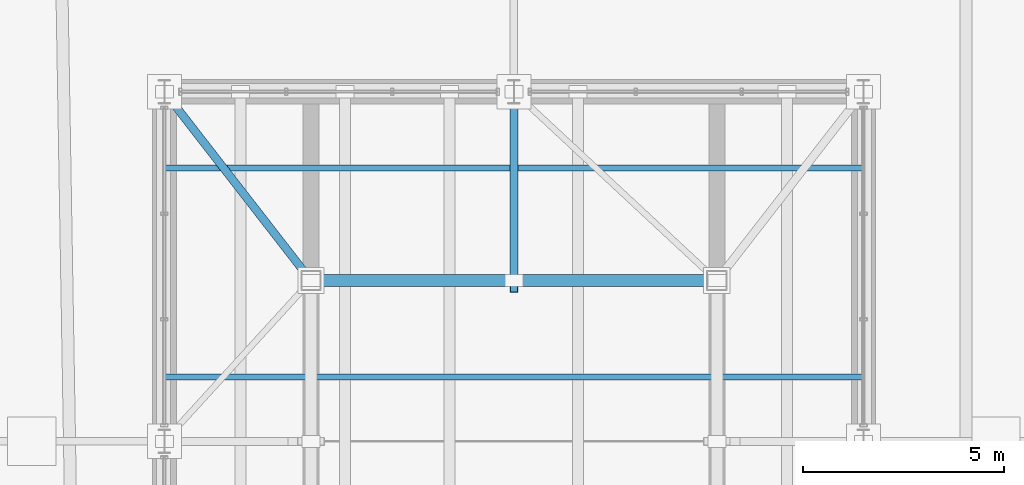
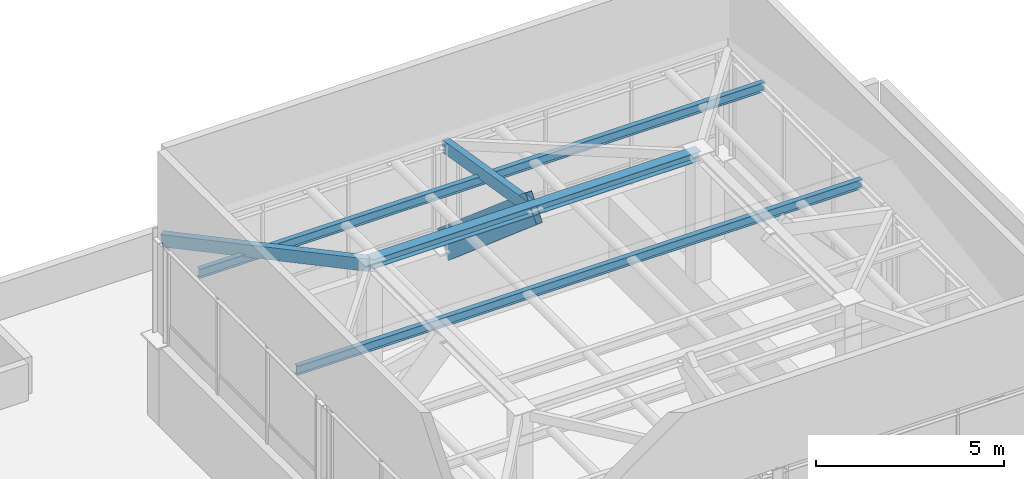
# One storey, part 15 of 22: 5 beams, 1 member.
"""IFC4 building model written with IfcOpenShell, lengths in metres."""

import ifcopenshell
import ifcopenshell.guid

model = None  # the IFC model being written
_history = None  # IfcOwnerHistory: only IFC2X3 demands one
_inside = {}  # id of a spatial element -> (the spatial element, [elements in it])
_under = {}  # id of a project, library or spatial element -> (it, [spatial elements below it])
_declared = {}  # id of a project -> (the project, [libraries it declares])
_typed = {}  # id of a type object -> (the type object, [elements of that type])
_made_of = {}  # id of a material, layer set ... -> (it, [elements and type objects made of it])


def new_model(schema):
    """Start an empty IFC model of exactly this schema.

    Asked for "IFC4X3", IfcOpenShell would pick the latest addendum, in which some entities
    have other attributes; the version numbers below select the first issue.
    IFC2X3 requires an IfcOwnerHistory on every rooted entity: one is made here for all.
    """
    global model, _history
    if schema == "IFC4X3":
        model = ifcopenshell.file(schema_version=(4, 3, 0, 0))
    else:
        model = ifcopenshell.file(schema=schema)
    _inside.clear()
    _under.clear()
    _declared.clear()
    _typed.clear()
    _made_of.clear()
    _history = None
    if model.schema == "IFC2X3":
        org = make("IfcOrganization", Name="unknown")
        user = make(
            "IfcPersonAndOrganization",
            ThePerson=make("IfcPerson", FamilyName="unknown"),
            TheOrganization=org,
        )
        app = make(
            "IfcApplication",
            ApplicationDeveloper=org,
            Version="unknown",
            ApplicationFullName="unknown",
            ApplicationIdentifier="unknown",
        )
        _history = make(
            "IfcOwnerHistory",
            OwningUser=user,
            OwningApplication=app,
            ChangeAction="ADDED",
            CreationDate=0,
        )
    return model


def make(cls, **values):
    """One entity of the class cls with the attributes given. An attribute that is None is left unset."""
    return model.create_entity(
        cls, **{name: value for name, value in values.items() if value is not None}
    )


def rooted(cls, **values):
    """An entity with a GlobalId (a new one), such as an element, a storey or a relation."""
    return make(cls, GlobalId=ifcopenshell.guid.new(), OwnerHistory=_history, **values)


def si_unit(unit_type, name, prefix=None):
    """IfcSIUnit, for example si_unit("LENGTHUNIT", "METRE", prefix="MILLI")."""
    return make("IfcSIUnit", UnitType=unit_type, Prefix=prefix, Name=name)


def assignment(units):
    """IfcUnitAssignment: the units of a project."""
    return None if units is None else make("IfcUnitAssignment", Units=units)


def point(xyz):
    """IfcCartesianPoint."""
    return None if xyz is None else make("IfcCartesianPoint", Coordinates=xyz)


def direction(xyz):
    """IfcDirection."""
    return None if xyz is None else make("IfcDirection", DirectionRatios=xyz)


def frame(location, z_axis=None, x_axis=None):
    """IfcAxis2Placement3D, a coordinate frame: its origin and axes. An axis left out is left unset."""
    return make(
        "IfcAxis2Placement3D",
        Location=point(location),
        Axis=direction(z_axis),
        RefDirection=direction(x_axis),
    )


def frame_2d(location, x_axis=None):
    """IfcAxis2Placement2D, a coordinate frame in the plane: its origin and x axis."""
    return make(
        "IfcAxis2Placement2D", Location=point(location), RefDirection=direction(x_axis)
    )


def origin():
    """The frame at (0, 0, 0) with its axes left unset."""
    return frame((0.0, 0.0, 0.0))


def origin_2d():
    """The frame at (0, 0) in the plane with its x axis left unset."""
    return frame_2d((0.0, 0.0))


def place(relative_to, where):
    """IfcLocalPlacement: puts the frame where relative to a parent placement (None: the world)."""
    return make(
        "IfcLocalPlacement", PlacementRelTo=relative_to, RelativePlacement=where
    )


def context(
    kind, dimensions, precision=None, world=None, true_north=None, identifier=None
):
    """IfcGeometricRepresentationContext, for example the 3D "Model" context."""
    return make(
        "IfcGeometricRepresentationContext",
        ContextIdentifier=identifier,
        ContextType=kind,
        CoordinateSpaceDimension=dimensions,
        Precision=precision,
        WorldCoordinateSystem=world,
        TrueNorth=true_north,
    )


def subcontext(parent, identifier, kind, view, scale=None):
    """IfcGeometricRepresentationSubContext, for example "Body" below "Model"."""
    return make(
        "IfcGeometricRepresentationSubContext",
        ContextIdentifier=identifier,
        ContextType=kind,
        ParentContext=parent,
        TargetScale=scale,
        TargetView=view,
    )


def project(units=None, contexts=None):
    """IfcProject with its units and contexts."""
    return rooted(
        "IfcProject",
        Name="project",
        RepresentationContexts=contexts,
        UnitsInContext=assignment(units),
    )


def spatial(cls, under=None, at=None, **own):
    """A site, building, storey or space (cls), placed at a placement, below another one or the project."""
    s = rooted(cls, ObjectPlacement=at, **own)
    if under is not None:
        _under.setdefault(under.id(), (under, []))[1].append(s)
    return s


def profile(cls, at=None, kind="AREA", **sizes):
    """A parametric profile (cls). Its sizes go by their IFC names, for example OverallWidth=200.0."""
    return make(cls, ProfileType=kind, Position=at, **sizes)


def hollow_rectangle(**sizes):
    """IfcRectangleHollowProfileDef."""
    return profile("IfcRectangleHollowProfileDef", **sizes)


def i_section(**sizes):
    """IfcIShapeProfileDef."""
    return profile("IfcIShapeProfileDef", **sizes)


def extrude(swept, where, along, depth):
    """IfcExtrudedAreaSolid: the profile swept, set in the frame where, extruded along a direction by depth."""
    return make(
        "IfcExtrudedAreaSolid",
        SweptArea=swept,
        Position=where,
        ExtrudedDirection=direction(along),
        Depth=depth,
    )


def shape(context_of_items, identifier, shape_type, items):
    """IfcShapeRepresentation: the items that make up one representation, for example the "Body"."""
    return make(
        "IfcShapeRepresentation",
        ContextOfItems=context_of_items,
        RepresentationIdentifier=identifier,
        RepresentationType=shape_type,
        Items=items,
    )


def material(Name=None, Category=None):
    """IfcMaterial."""
    return make("IfcMaterial", Name=Name, Category=Category)


def material_profile(
    of_material, cross_section, Name=None, Category=None, Priority=None
):
    """IfcMaterialProfile: a cross section and its material."""
    return make(
        "IfcMaterialProfile",
        Name=Name,
        Material=of_material,
        Profile=cross_section,
        Priority=Priority,
        Category=Category,
    )


def profile_set(profiles, Name=None, composite=None):
    """IfcMaterialProfileSet."""
    return make(
        "IfcMaterialProfileSet",
        Name=Name,
        MaterialProfiles=profiles,
        CompositeProfile=composite,
    )


def made_of(thing, what):
    """Note that an element or type object is made of a material, layer set ...; save() writes the relation."""
    if what is not None:
        _made_of.setdefault(what.id(), (what, []))[1].append(thing)
    return thing


def type_object(cls, material=None, **own):
    """A type object (cls), such as IfcWallType, which elements share."""
    return made_of(rooted(cls, **own), material)


def element(
    cls,
    number,
    at=None,
    inside=None,
    cuts=None,
    type_object=None,
    material=None,
    context=None,
    identifier="Body",
    shape_type=None,
    held_by="IfcProductDefinitionShape",
    body=None,
    shapes=None,
    **own,
):
    """One element of the class cls, such as IfcWall. Its Tag is "e" and its number.

    at: its placement. inside: the storey or other place that contains it. cuts: it is an
    opening in that element (IfcRelVoidsElement). A single representation is given by context,
    identifier, shape_type and body (its items); several are given by shapes. held_by: the class
    of the entity that holds the representations. save() writes the other relations.
    """
    e = rooted(cls, Tag="e%d" % number, ObjectPlacement=at, **own)
    if body is not None:
        shapes = [shape(context, identifier, shape_type, body)]
    if shapes is not None:
        e.Representation = make(held_by, Representations=shapes)
    if inside is not None:
        _inside.setdefault(inside.id(), (inside, []))[1].append(e)
    if cuts is not None:
        rooted(
            "IfcRelVoidsElement", RelatingBuildingElement=cuts, RelatedOpeningElement=e
        )
    if type_object is not None:
        _typed.setdefault(type_object.id(), (type_object, []))[1].append(e)
    return made_of(e, material)


def aggregate(whole, parts):
    """IfcRelAggregates: a whole, such as a stair, and the parts it consists of."""
    return rooted("IfcRelAggregates", RelatingObject=whole, RelatedObjects=parts)


def save(model, path):
    """Write the relations noted so far, then the file.

    IfcRelAggregates (storeys below a building ...), IfcRelContainedInSpatialStructure (elements
    in a storey), IfcRelDefinesByType, IfcRelAssociatesMaterial and IfcRelDeclares: one each for
    every whole, place, type object, material and project.
    """
    for whole, parts in _under.values():
        aggregate(whole, parts)
    for where, things in _inside.values():
        rooted(
            "IfcRelContainedInSpatialStructure",
            RelatedElements=things,
            RelatingStructure=where,
        )
    for kind, things in _typed.values():
        rooted("IfcRelDefinesByType", RelatedObjects=things, RelatingType=kind)
    for what, things in _made_of.values():
        rooted("IfcRelAssociatesMaterial", RelatedObjects=things, RelatingMaterial=what)
    for by, libraries in _declared.values():
        rooted("IfcRelDeclares", RelatingContext=by, RelatedDefinitions=libraries)
    model.write(path)


model = new_model("IFC4")

# Units and contexts
model_context = context("Model", 3, precision=1e-05, world=origin(), true_north=direction((0.0, 1.0)))
body_context = subcontext(model_context, "Body", "Model", "MODEL_VIEW")
ifc_project = project(units=[si_unit("LENGTHUNIT", "METRE"), si_unit("AREAUNIT", "SQUARE_METRE"), si_unit("VOLUMEUNIT", "CUBIC_METRE"), si_unit("PLANEANGLEUNIT", "RADIAN"), si_unit("MASSUNIT", "GRAM", prefix="KILO")], contexts=[model_context])

# Site, building, storey
site_placement = place(None, origin())
site = spatial("IfcSite", under=ifc_project, at=site_placement, CompositionType="ELEMENT")
building_placement = place(site_placement, origin())
building = spatial("IfcBuilding", under=site, at=building_placement, Name="Belovzor Exchange Tower", CompositionType="ELEMENT")
storey_placement = place(building_placement, frame((0.0, 0.0, 378.60009765625)))
storey = spatial("IfcBuildingStorey", under=building, at=storey_placement, Name="RF", CompositionType="ELEMENT", Elevation=378.60009765625)

# Beams
ifc_material_1 = material(Name="Steel S355", Category="steel")
ifc_material_profile_1 = material_profile(ifc_material_1, hollow_rectangle(XDim=0.199951171875, YDim=0.39990234375, WallThickness=0.012451171875, at=origin_2d()))
ifc_profile_set_1 = profile_set([ifc_material_profile_1], Name="Steel S355")
beam_type_1 = type_object("IfcBeamType", Name="Crown Faceted Roof Rafter RHS 400x200x12.5", PredefinedType="BEAM", material=ifc_profile_set_1)
beam_1_placement = place(storey_placement, frame((20.10009765625, 37.5, 5.7998046875), z_axis=(0.608281083468, -0.783278872096, 0.128328999148), x_axis=(0.789809290804, 0.613352495845, 0.0)))
element("IfcBeam", 1, at=beam_1_placement, inside=storey, type_object=beam_type_1, Name="RR-400 Crown Faceted Roof Rafter RHS 400x200x12.5", PredefinedType="BEAM", context=body_context, shape_type="SweptSolid", body=[
    extrude(hollow_rectangle(XDim=0.199951171875, YDim=0.39990234375, WallThickness=0.012451171875, at=origin_2d()), origin(), (0.0, 0.0, 1.0), 6.000244140625),
])
beam_2_placement = place(storey_placement, frame((28.800048828125, 37.5, 5.7998046875), z_axis=(0.0, -0.986843222912, 0.161680095843), x_axis=(1.0, 0.0, 0.0)))
element("IfcBeam", 2, at=beam_2_placement, inside=storey, type_object=beam_type_1, Name="RR-400 Crown Faceted Roof Rafter RHS 400x200x12.5", PredefinedType="BEAM", context=body_context, shape_type="SweptSolid", body=[
    extrude(hollow_rectangle(XDim=0.199951171875, YDim=0.39990234375, WallThickness=0.012451171875, at=origin_2d()), origin(), (0.0, 0.0, 1.0), 4.7626953125),
])
ifc_material_2 = material(Name="Steel S355", Category="steel")
ifc_material_profile_2 = material_profile(ifc_material_2, i_section(OverallWidth=0.300048828125, OverallDepth=0.300048828125, WebThickness=0.008544921875, FlangeThickness=0.013916015625, at=origin_2d()))
ifc_profile_set_2 = profile_set([ifc_material_profile_2], Name="Steel S355")
beam_type_2 = type_object("IfcBeamType", Name="Crown Ring & Trim Beam HEA 300", PredefinedType="BEAM", material=ifc_profile_set_2)
beam_3_placement = place(storey_placement, frame((33.85009765625, 32.800048828125, 6.619873046875), z_axis=(-1.0, 0.0, 0.0), x_axis=(0.0, -1.0, 0.0)))
element("IfcBeam", 3, at=beam_3_placement, inside=storey, type_object=beam_type_2, Name="CB-CR Crown Ring & Trim Beam HEA 300", PredefinedType="BEAM", context=body_context, shape_type="SweptSolid", body=[
    extrude(i_section(OverallWidth=0.300048828125, OverallDepth=0.300048828125, WebThickness=0.008544921875, FlangeThickness=0.013916015625, at=origin_2d()), origin(), (0.0, 0.0, 1.0), 10.10009765625),
])
ifc_material_3 = material(Name="Steel S355", Category="steel")
ifc_material_profile_3 = material_profile(ifc_material_3, i_section(OverallWidth=0.14990234375, OverallDepth=0.300048828125, WebThickness=0.007080078125, FlangeThickness=0.0107421875, at=origin_2d()))
ifc_profile_set_3 = profile_set([ifc_material_profile_3], Name="Steel S355")
beam_type_3 = type_object("IfcBeamType", Name="Crown Roof Cap Steel Purlin IPE 300", PredefinedType="BEAM", material=ifc_profile_set_3)
for number, where, z_axis, x_axis, name in (
    (4, (20.10009765625, 30.39990234375, 5.849853515625), (1.0, 0.0, 0.0), (0.0, 1.0, 0.0), "RP-300 Crown Roof Cap Steel Purlin IPE 300"),
    (5, (20.10009765625, 35.60009765625, 5.849853515625), (1.0, 0.0, 0.0), (0.0, 1.0, 0.0), "RP-300 Crown Roof Cap Steel Purlin IPE 300"),
):
    element("IfcBeam", number, at=place(storey_placement, frame(where, z_axis=z_axis, x_axis=x_axis)), inside=storey, type_object=beam_type_3, Name=name, PredefinedType="BEAM", context=body_context, shape_type="SweptSolid", body=[
        extrude(i_section(OverallWidth=0.14990234375, OverallDepth=0.300048828125, WebThickness=0.007080078125, FlangeThickness=0.0107421875, at=origin_2d()), origin(), (0.0, 0.0, 1.0), 17.39990234375),
    ])

# Member
ifc_material_4 = material(Name="Extruded Architectural Terracotta on Steel S355 Carrier", Category="masonry")
ifc_material_profile_4 = material_profile(ifc_material_4, hollow_rectangle(XDim=0.199951171875, YDim=0.89990234375, WallThickness=0.011962890625, at=origin_2d()))
ifc_profile_set_4 = profile_set([ifc_material_profile_4], Name="Extruded Architectural Terracotta on Steel S355 Carrier")
member_type = type_object("IfcMemberType", Name="Sweeping Terracotta Baguette Fin Assembly 1250", PredefinedType="USERDEFINED", material=ifc_profile_set_4)
member_placement = place(storey_placement, frame((28.800048828125, 37.5, 2.599853515625), z_axis=(0.0, -0.759936089402, 0.649997800015), x_axis=(1.0, 0.0, 0.0)))
element("IfcMember", 6, at=member_placement, inside=storey, type_object=member_type, Name="FIN-TC125 Raked Crown Speed Pylon N", ObjectType="FIN", PredefinedType="USERDEFINED", context=body_context, shape_type="SweptSolid", body=[
    extrude(hollow_rectangle(XDim=0.199951171875, YDim=0.89990234375, WallThickness=0.011962890625, at=origin_2d()), origin(), (0.0, 0.0, 1.0), 6.1845703125),
])

save(model, "model.ifc")
